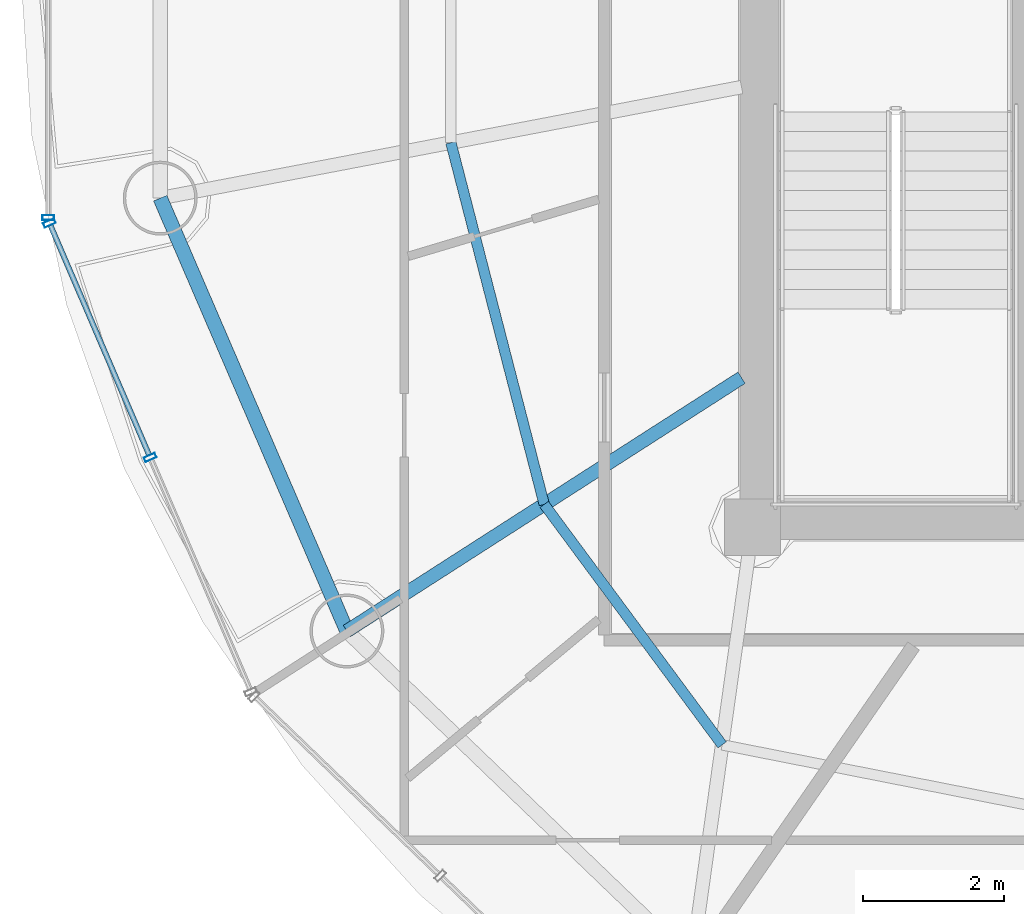
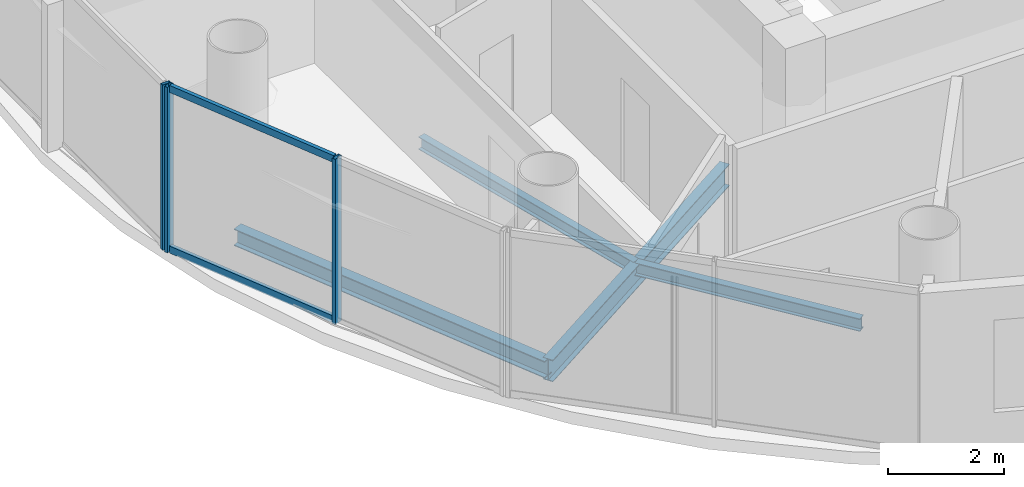
# One storey, part 4 of 24: 5 members, 4 beams, 2 elements without a shape of their own.
"""IFC4 building model written with IfcOpenShell, lengths in metres."""

from ifc_helpers import new_model, si_unit, direction, frame, origin, origin_2d, place, context, subcontext, project, spatial, hollow_rectangle, i_section, extrude, source, transform, mapped, material, material_profile, profile_set, type_object, element, aggregate, save


model = new_model("IFC4")

# Units and contexts
model_context = context("Model", 3, precision=1e-05, world=origin(), true_north=direction((-0.2419218956, 0.970295726276)))
body_context = subcontext(model_context, "Body", "Model", "MODEL_VIEW")
ifc_project = project(units=[si_unit("LENGTHUNIT", "METRE"), si_unit("AREAUNIT", "SQUARE_METRE"), si_unit("VOLUMEUNIT", "CUBIC_METRE"), si_unit("PLANEANGLEUNIT", "RADIAN"), si_unit("MASSUNIT", "GRAM", prefix="KILO")], contexts=[model_context])

# Site, building, storey
site_placement = place(None, origin())
site = spatial("IfcSite", under=ifc_project, at=site_placement, CompositionType="ELEMENT")
building_placement = place(site_placement, origin())
building = spatial("IfcBuilding", under=site, at=building_placement, Name="Cobrevalo Terracotta Tower", CompositionType="ELEMENT")
storey_placement = place(building_placement, frame((0.0, 0.0, 278.199951171875)))
storey = spatial("IfcBuildingStorey", under=building, at=storey_placement, Name="L73", CompositionType="ELEMENT", Elevation=278.199951171875)

# Beams
ifc_material_1 = material(Name="Steel S355", Category="steel")
ifc_material_profile_1 = material_profile(ifc_material_1, i_section(OverallWidth=0.19091796875, OverallDepth=0.4599609375, WebThickness=0.010009765625, FlangeThickness=0.01611328125, at=origin_2d()), Name="W 460x82")
ifc_profile_set_1 = profile_set([ifc_material_profile_1], Name="Steel S355")
beam_type_1 = type_object("IfcBeamType", Name="Structural Beam W 460x82 (Steel S355)", PredefinedType="BEAM", material=ifc_profile_set_1)
beam_1_placement = place(storey_placement, frame((23.241455078125, 17.32763671875, -0.489990234375), z_axis=(0.84157615512, 0.540138477739, 0.0), x_axis=(-0.540138477739, 0.84157615512, 0.0)))
element("IfcBeam", 1, at=beam_1_placement, inside=storey, type_object=beam_type_1, Name="L73 radial floor girder 10", PredefinedType="BEAM", context=body_context, shape_type="SweptSolid", body=[
    extrude(i_section(OverallWidth=0.19091796875, OverallDepth=0.4599609375, WebThickness=0.010009765625, FlangeThickness=0.01611328125, at=origin_2d()), origin(), (0.0, 0.0, 1.0), 6.658447265625),
])
ifc_material_profile_2 = material_profile(ifc_material_1, i_section(OverallWidth=0.14794921875, OverallDepth=0.26611328125, WebThickness=0.007568359375, FlangeThickness=0.012939453125, at=origin_2d()), Name="W 250x44.8")
ifc_profile_set_2 = profile_set([ifc_material_profile_2], Name="Steel S355")
beam_type_2 = type_object("IfcBeamType", Name="Structural Joist W 250x44.8 (Steel S355)", PredefinedType="JOIST", material=ifc_profile_set_2)
beam_2_placement = place(storey_placement, frame((24.718017578125, 24.26220703125, -0.39306640625), z_axis=(0.249816773293, -0.968293126993, 0.0), x_axis=(0.968293126993, 0.249816773293, 0.0)))
element("IfcBeam", 2, at=beam_2_placement, inside=storey, type_object=beam_type_2, Name="L73 circumferential secondary floor joist 09", PredefinedType="JOIST", context=body_context, shape_type="SweptSolid", body=[
    extrude(i_section(OverallWidth=0.14794921875, OverallDepth=0.26611328125, WebThickness=0.007568359375, FlangeThickness=0.012939453125, at=origin_2d()), origin(), (0.0, 0.0, 1.0), 5.3046875),
])
beam_3_placement = place(storey_placement, frame((26.043212890625, 19.125732421875, -0.39306640625), z_axis=(0.594799916617, -0.803873783123, 0.0), x_axis=(0.803873783123, 0.594799916617, 0.0)))
element("IfcBeam", 3, at=beam_3_placement, inside=storey, type_object=beam_type_2, Name="L73 circumferential secondary floor joist 10", PredefinedType="JOIST", context=body_context, shape_type="SweptSolid", body=[
    extrude(i_section(OverallWidth=0.14794921875, OverallDepth=0.26611328125, WebThickness=0.007568359375, FlangeThickness=0.012939453125, at=origin_2d()), origin(), (0.0, 0.0, 1.0), 4.2470703125),
])
ifc_material_profile_3 = material_profile(ifc_material_1, i_section(OverallWidth=0.205078125, OverallDepth=0.35400390625, WebThickness=0.009521484375, FlangeThickness=0.016845703125, at=origin_2d()), Name="W 360x79")
ifc_profile_set_3 = profile_set([ifc_material_profile_3], Name="Steel S355")
beam_type_3 = type_object("IfcBeamType", Name="Structural Spandrel W 360x79 (Steel S355)", PredefinedType="SPANDREL", material=ifc_profile_set_3)
beam_4_placement = place(storey_placement, frame((20.591064453125, 23.4736328125, -0.43701171875), z_axis=(0.395987390706, -0.918255948198, 0.0), x_axis=(0.918255948198, 0.395987390706, 0.0)))
element("IfcBeam", 4, at=beam_4_placement, inside=storey, type_object=beam_type_3, Name="L73 perimeter ring spandrel 09", PredefinedType="SPANDREL", context=body_context, shape_type="SweptSolid", body=[
    extrude(i_section(OverallWidth=0.205078125, OverallDepth=0.35400390625, WebThickness=0.009521484375, FlangeThickness=0.016845703125, at=origin_2d()), origin(), (0.0, 0.0, 1.0), 6.693115234375),
])

# Curtain wall, member
ifc_material_2 = material(Name="Anodized aluminium", Category="aluminium")
curtain_wall_type = type_object("IfcCurtainWallType", Name="Upper-tower triple-glazed penthouse curtain wall CW-U3", PredefinedType="NOTDEFINED", material=ifc_material_2)
curtain_wall_1_placement = place(storey_placement, origin())
curtain_wall_1 = element("IfcCurtainWall", 5, at=curtain_wall_1_placement, inside=storey, type_object=curtain_wall_type, Name="L73 curtain wall CW-L73-S08", PredefinedType="NOTDEFINED")
ifc_material_profile_4 = material_profile(ifc_material_2, hollow_rectangle(XDim=0.070068359375, YDim=0.169921875, WallThickness=0.00439453125, at=origin_2d()), Name="CWM 70x170")
ifc_profile_set_4 = profile_set([ifc_material_profile_4], Name="Anodized aluminium")
member_type_1 = type_object("IfcMemberType", Name="Upper tower unitised mullion 70x170", PredefinedType="MULLION", material=ifc_profile_set_4)
shared_shape_1 = source(origin(), body_context, "Body", "SweptSolid", [
    extrude(hollow_rectangle(XDim=0.070068359375, YDim=0.169921875, WallThickness=0.00439453125, at=origin_2d()), origin(), (0.0, 0.0, 1.0), 3.489990234375),
])
member_1_placement = place(storey_placement, frame((19.002197265625, 23.19775390625, 0.0), z_axis=(0.0, 0.0, 1.0), x_axis=(0.0, -1.0, 0.0)))
member_1 = element("IfcMember", 6, at=member_1_placement, type_object=member_type_1, Name="CW-L73-S08 vertical mullion 03", PredefinedType="MULLION", context=body_context, shape_type="MappedRepresentation", body=[
    mapped(shared_shape_1, transform((0.0, 0.0, 0.0), scale=1.0)),
])
aggregate(curtain_wall_1, [member_1])

# Curtain wall, members
curtain_wall_2_placement = place(storey_placement, origin())
curtain_wall_2 = element("IfcCurtainWall", 7, at=curtain_wall_2_placement, inside=storey, type_object=curtain_wall_type, Name="L73 curtain wall CW-L73-S09", PredefinedType="NOTDEFINED")
member_2_placement = place(storey_placement, frame((19.01806640625, 23.120849609375, 0.0), z_axis=(0.0, 0.0, 1.0), x_axis=(0.39482403454, -0.91875675875, 0.0)))
member_2 = element("IfcMember", 8, at=member_2_placement, type_object=member_type_1, Name="CW-L73-S09 vertical mullion 01", PredefinedType="MULLION", context=body_context, shape_type="MappedRepresentation", body=[
    mapped(shared_shape_1, transform((0.0, 0.0, 0.0), scale=1.0)),
])
member_3_placement = place(storey_placement, frame((20.4482421875, 19.79248046875, 0.0), z_axis=(0.0, 0.0, 1.0), x_axis=(0.39482403454, -0.91875675875, 0.0)))
member_3 = element("IfcMember", 9, at=member_3_placement, type_object=member_type_1, Name="CW-L73-S09 vertical mullion 02", PredefinedType="MULLION", context=body_context, shape_type="MappedRepresentation", body=[
    mapped(shared_shape_1, transform((0.0, 0.0, 0.0), scale=1.0)),
])
ifc_material_profile_5 = material_profile(ifc_material_2, hollow_rectangle(XDim=0.074951171875, YDim=0.14990234375, WallThickness=0.00439453125, at=origin_2d()), Name="CWT 75x150")
ifc_profile_set_5 = profile_set([ifc_material_profile_5], Name="Anodized aluminium")
member_type_2 = type_object("IfcMemberType", Name="Tower unitised aluminium transom 75x150", PredefinedType="USERDEFINED", material=ifc_profile_set_5)
shared_shape_2 = source(origin(), body_context, "Body", "SweptSolid", [
    extrude(hollow_rectangle(XDim=0.074951171875, YDim=0.14990234375, WallThickness=0.00439453125, at=origin_2d()), origin(), (0.0, 0.0, 1.0), 3.542724609375),
])
member_4_placement = place(storey_placement, frame((19.03369140625, 23.084228515625, 0.050048828125), z_axis=(0.394867226589, -0.918738196314, 0.0), x_axis=(0.918738196314, 0.394867226589, 0.0)))
member_4 = element("IfcMember", 10, at=member_4_placement, type_object=member_type_2, Name="CW-L73-S09 transom B01-T1", ObjectType="TRANSOM", PredefinedType="USERDEFINED", context=body_context, shape_type="MappedRepresentation", body=[
    mapped(shared_shape_2, transform((0.0, 0.0, 0.0), scale=1.0)),
])
member_5_placement = place(storey_placement, frame((19.03369140625, 23.084228515625, 3.43994140625), z_axis=(0.394867226589, -0.918738196314, 0.0), x_axis=(0.918738196314, 0.394867226589, 0.0)))
member_5 = element("IfcMember", 11, at=member_5_placement, type_object=member_type_2, Name="CW-L73-S09 transom B01-T2", ObjectType="TRANSOM", PredefinedType="USERDEFINED", context=body_context, shape_type="MappedRepresentation", body=[
    mapped(shared_shape_2, transform((0.0, 0.0, 0.0), scale=1.0)),
])
aggregate(curtain_wall_2, [member_2, member_3, member_4, member_5])

save(model, "model.ifc")
